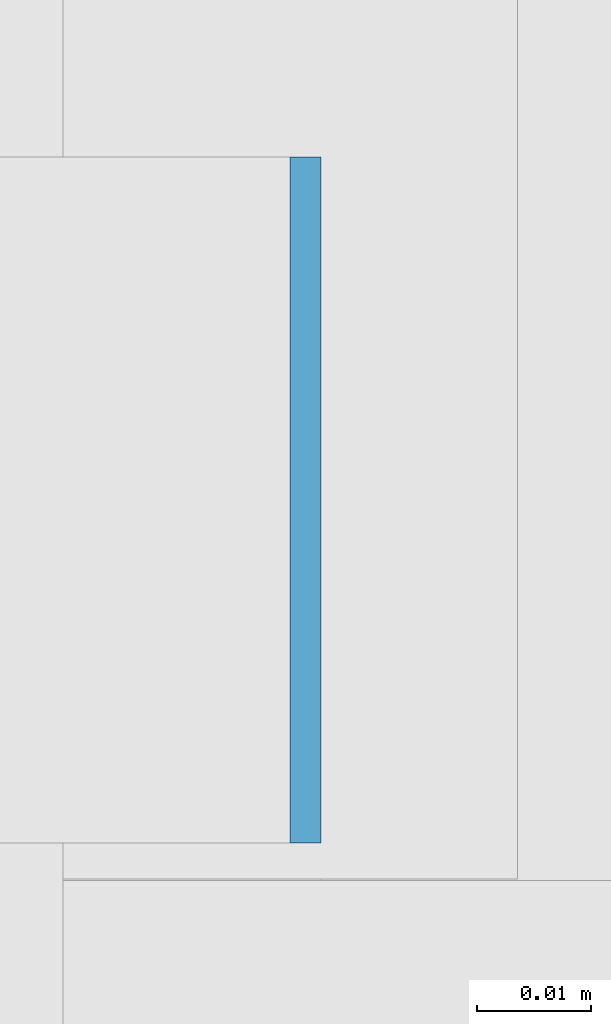
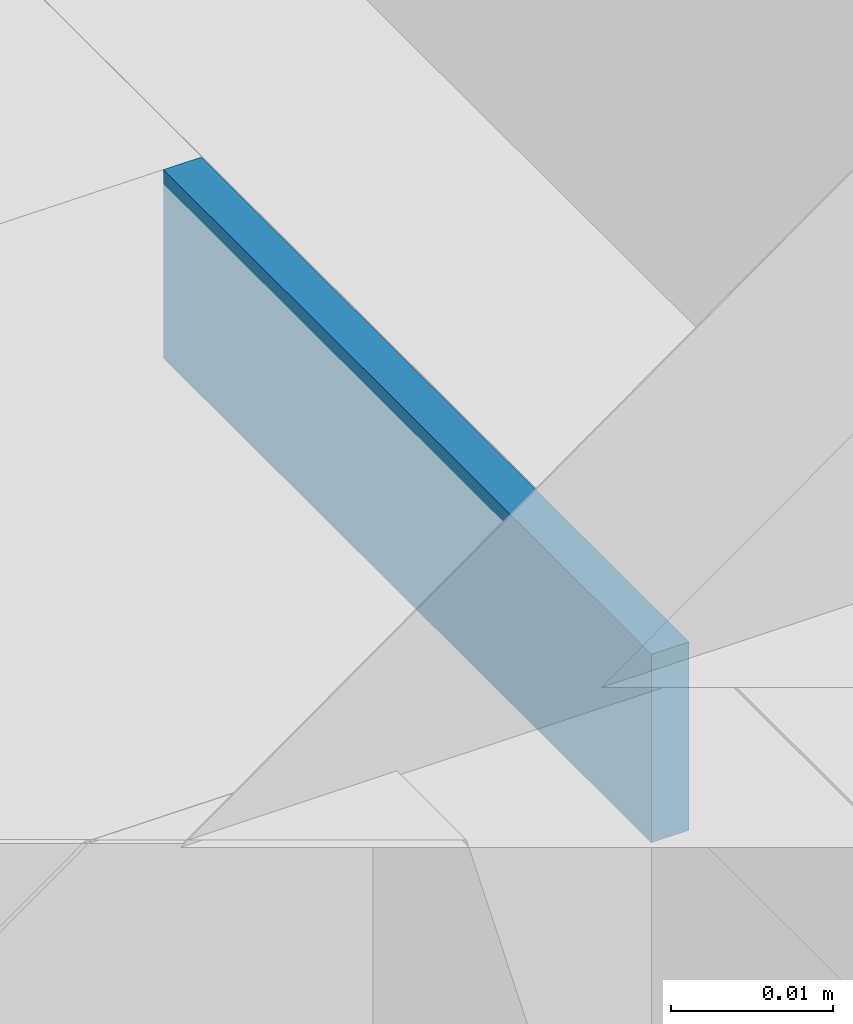
# One storey, part 247 of 646: 1 discrete accessory.
"""IFC4 building model written with IfcOpenShell, lengths in metres."""

from ifc_helpers import new_model, si_unit, direction, frame, origin, origin_2d, place, context, subcontext, project, spatial, rectangle, extrude, material, type_object, element, save


model = new_model("IFC4")

# Units and contexts
model_context = context("Model", 3, precision=1e-05, world=origin(), true_north=direction((0.0, 1.0)))
body_context = subcontext(model_context, "Body", "Model", "MODEL_VIEW")
ifc_project = project(units=[si_unit("LENGTHUNIT", "METRE"), si_unit("AREAUNIT", "SQUARE_METRE"), si_unit("VOLUMEUNIT", "CUBIC_METRE"), si_unit("PLANEANGLEUNIT", "RADIAN"), si_unit("MASSUNIT", "GRAM", prefix="KILO")], contexts=[model_context])

# Site, building, storey
site_placement = place(None, origin())
site = spatial("IfcSite", under=ifc_project, at=site_placement, CompositionType="ELEMENT")
building_placement = place(site_placement, origin())
building = spatial("IfcBuilding", under=site, at=building_placement, Name="Silverbay Arena", CompositionType="ELEMENT")
storey_placement = place(building_placement, frame((0.0, 0.0, 33.5)))
storey = spatial("IfcBuildingStorey", under=building, at=storey_placement, Name="L05", CompositionType="ELEMENT", Elevation=33.5)

# Discrete accessory
ifc_material = material(Name="Steel S355", Category="steel")
discrete_accessory_type = type_object("IfcDiscreteAccessoryType", Name="Steel bracket plate", PredefinedType="BRACKET", material=ifc_material)
discrete_accessory_placement = place(storey_placement, frame((53.871337890625, 33.13330078125, 12.98583984375), z_axis=(0.0, 0.0, 1.0), x_axis=(1.0, 0.0, 0.0)))
element("IfcDiscreteAccessory", 1, at=discrete_accessory_placement, inside=storey, type_object=discrete_accessory_type, Name="Curtain wall packing plate", PredefinedType="BRACKET", context=body_context, shape_type="SweptSolid", body=[
    extrude(rectangle(XDim=0.002685546875, YDim=0.06005859375, at=origin_2d()), origin(), (0.0, 0.0, 1.0), 0.01416015625),
])

save(model, "model.ifc")
